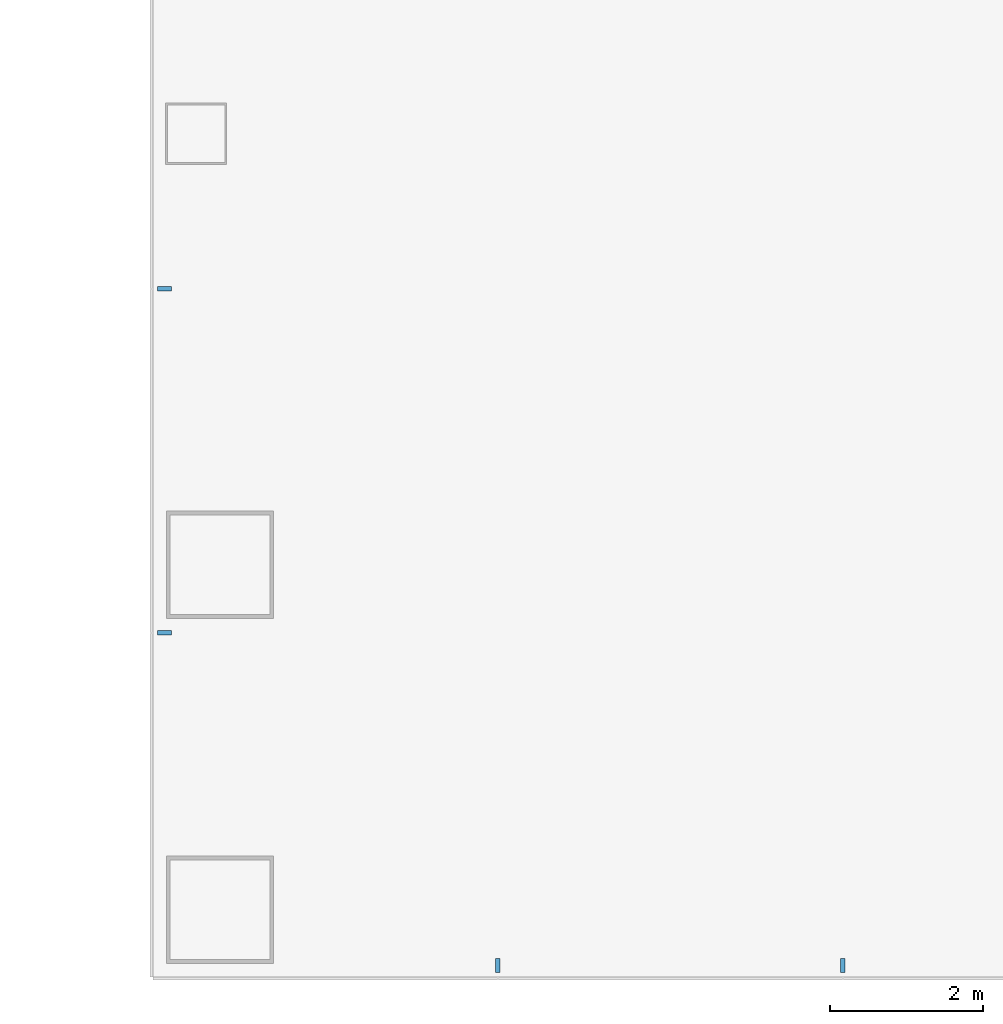
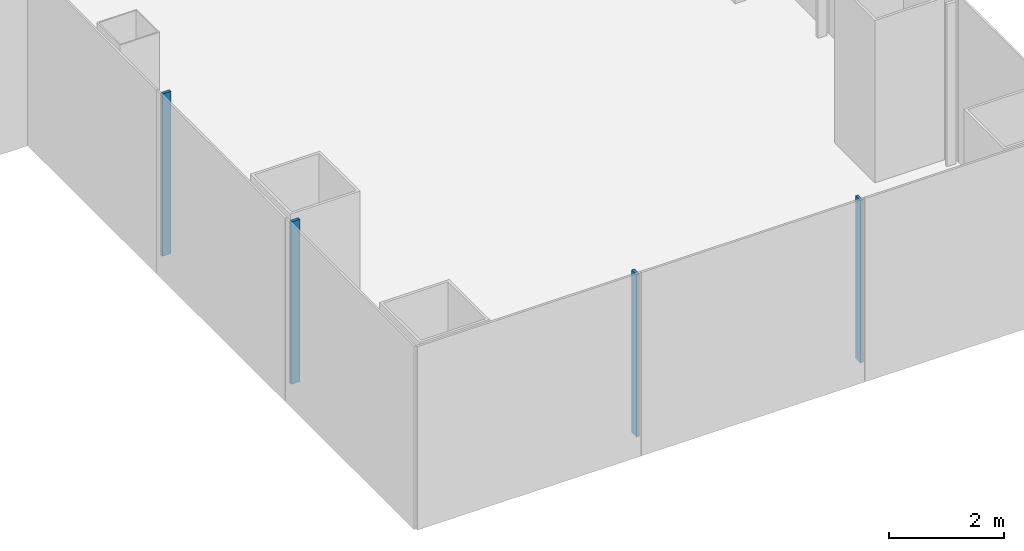
# One storey, part 3 of 22: 4 members, 2 elements without a shape of their own.
"""IFC4 building model written with IfcOpenShell, lengths in metres."""

from ifc_helpers import new_model, si_unit, direction, frame, origin, origin_2d, place, context, subcontext, project, spatial, rectangle, extrude, material, layer, layer_set, material_profile, profile_set, type_object, element, aggregate, save


model = new_model("IFC4")

# Units and contexts
model_context = context("Model", 3, precision=1e-05, world=origin(), true_north=direction((0.0, 1.0)))
body_context = subcontext(model_context, "Body", "Model", "MODEL_VIEW")
ifc_project = project(units=[si_unit("LENGTHUNIT", "METRE"), si_unit("AREAUNIT", "SQUARE_METRE"), si_unit("VOLUMEUNIT", "CUBIC_METRE"), si_unit("PLANEANGLEUNIT", "RADIAN"), si_unit("MASSUNIT", "GRAM", prefix="KILO")], contexts=[model_context])

# Site, building, storey
site_placement = place(None, origin())
site = spatial("IfcSite", under=ifc_project, at=site_placement, CompositionType="ELEMENT")
building_placement = place(site_placement, origin())
building = spatial("IfcBuilding", under=site, at=building_placement, Name="Shamsa Quay Exchange Towers", CompositionType="ELEMENT")
storey_placement = place(building_placement, frame((0.0, 0.0, 73.199951171875)))
storey = spatial("IfcBuildingStorey", under=building, at=storey_placement, Name="L16", CompositionType="ELEMENT", Elevation=73.199951171875)

# Curtain wall, members
ifc_material = material(Name="Aluminium EN AW-6063 T6, black anodised", Category="aluminium")
ifc_layer = layer(ifc_material, 0.280029296875)
ifc_layer_set = layer_set([ifc_layer], Name="CW-1 UNITISED VISION GLASS")
curtain_wall_type = type_object("IfcCurtainWallType", Name="CW-1 UNITISED VISION GLASS", PredefinedType="NOTDEFINED", material=ifc_layer_set)
curtain_wall_1_placement = place(storey_placement, origin())
curtain_wall_1 = element("IfcCurtainWall", 1, at=curtain_wall_1_placement, inside=storey, type_object=curtain_wall_type, Name="CW1 T1-FLK-V-W L16", PredefinedType="NOTDEFINED")
ifc_material_profile = material_profile(ifc_material, rectangle(XDim=0.179931640625, YDim=0.06005859375, at=origin_2d()), Name="MU60x180")
ifc_profile_set = profile_set([ifc_material_profile], Name="Aluminium EN AW-6063 T6, black anodised")
member_type = type_object("IfcMemberType", Name="CW1 MULLION 60x180", PredefinedType="MULLION", material=ifc_profile_set)
member_1_placement = place(storey_placement, frame((-40.35009765625, -15.775390625, 0.0)))
member_1 = element("IfcMember", 2, at=member_1_placement, type_object=member_type, Name="CW1 mullion", PredefinedType="MULLION", context=body_context, shape_type="SweptSolid", body=[
    extrude(rectangle(XDim=0.179931640625, YDim=0.06005859375, at=origin_2d()), origin(), (0.0, 0.0, 1.0), 3.449951171875),
])
member_2_placement = place(storey_placement, frame((-40.35009765625, -20.2626953125, 0.0)))
member_2 = element("IfcMember", 3, at=member_2_placement, type_object=member_type, Name="CW1 mullion", PredefinedType="MULLION", context=body_context, shape_type="SweptSolid", body=[
    extrude(rectangle(XDim=0.179931640625, YDim=0.06005859375, at=origin_2d()), origin(), (0.0, 0.0, 1.0), 3.449951171875),
])
aggregate(curtain_wall_1, [member_1, member_2])

curtain_wall_2_placement = place(storey_placement, origin())
curtain_wall_2 = element("IfcCurtainWall", 4, at=curtain_wall_2_placement, inside=storey, type_object=curtain_wall_type, Name="CW1 T1-END-V- L16", PredefinedType="NOTDEFINED")
member_3_placement = place(storey_placement, frame((-36.0, -24.60009765625, 0.0), z_axis=(0.0, 0.0, 1.0), x_axis=(0.0, 1.0, 0.0)))
member_3 = element("IfcMember", 5, at=member_3_placement, type_object=member_type, Name="CW1 mullion", PredefinedType="MULLION", context=body_context, shape_type="SweptSolid", body=[
    extrude(rectangle(XDim=0.179931640625, YDim=0.06005859375, at=origin_2d()), origin(), (0.0, 0.0, 1.0), 3.449951171875),
])
member_4_placement = place(storey_placement, frame((-31.5, -24.60009765625, 0.0), z_axis=(0.0, 0.0, 1.0), x_axis=(0.0, 1.0, 0.0)))
member_4 = element("IfcMember", 6, at=member_4_placement, type_object=member_type, Name="CW1 mullion", PredefinedType="MULLION", context=body_context, shape_type="SweptSolid", body=[
    extrude(rectangle(XDim=0.179931640625, YDim=0.06005859375, at=origin_2d()), origin(), (0.0, 0.0, 1.0), 3.449951171875),
])
aggregate(curtain_wall_2, [member_3, member_4])

save(model, "model.ifc")
